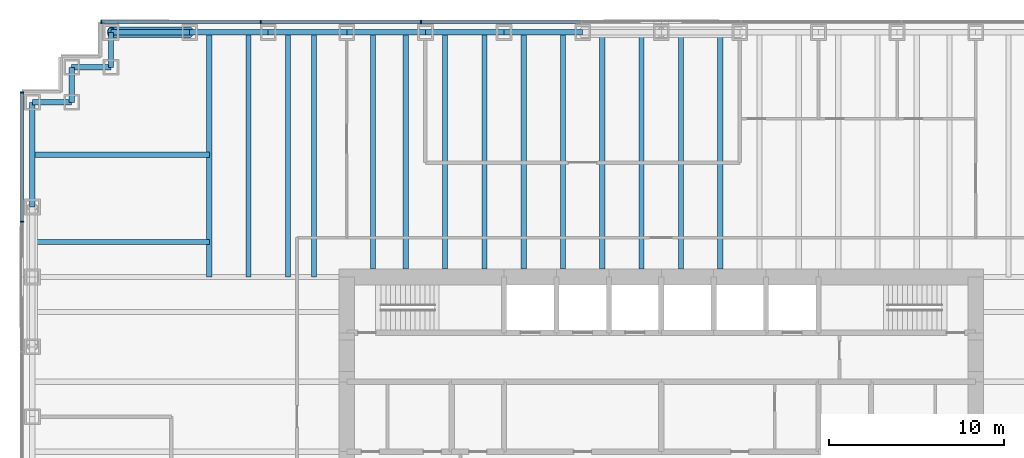
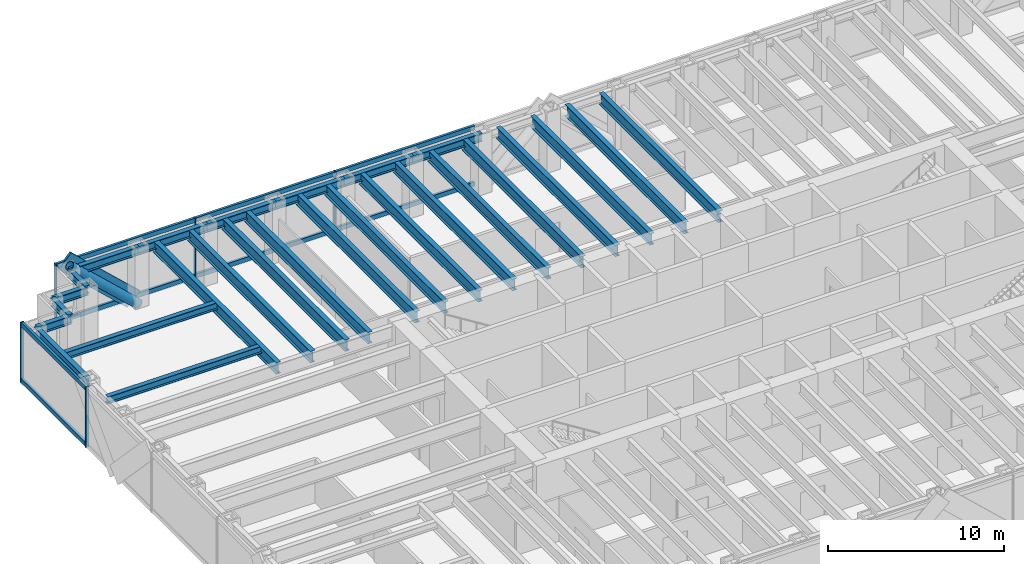
# One storey, part 6 of 15: 27 beams, 15 members, 2 elements without a shape of their own.
"""IFC4 building model written with IfcOpenShell, lengths in metres."""

from ifc_helpers import new_model, si_unit, direction, frame, origin, origin_2d, place, context, subcontext, project, spatial, rectangle, hollow_circle, i_section, extrude, material, material_profile, profile_set, type_object, element, aggregate, save


model = new_model("IFC4")

# Units and contexts
model_context = context("Model", 3, precision=1e-05, world=origin(), true_north=direction((0.0, 1.0)))
body_context = subcontext(model_context, "Body", "Model", "MODEL_VIEW")
ifc_project = project(units=[si_unit("LENGTHUNIT", "METRE"), si_unit("AREAUNIT", "SQUARE_METRE"), si_unit("VOLUMEUNIT", "CUBIC_METRE"), si_unit("PLANEANGLEUNIT", "RADIAN"), si_unit("MASSUNIT", "GRAM", prefix="KILO")], contexts=[model_context])

# Site, building, storey
site_placement = place(None, origin())
site = spatial("IfcSite", under=ifc_project, at=site_placement, CompositionType="ELEMENT")
building_placement = place(site_placement, origin())
building = spatial("IfcBuilding", under=site, at=building_placement, Name="Rheinbord Bourse Tower", CompositionType="ELEMENT")
storey_placement = place(building_placement, frame((0.0, 0.0, 150.89990234375)))
storey = spatial("IfcBuildingStorey", under=building, at=storey_placement, Name="L33", CompositionType="ELEMENT", Elevation=150.89990234375)

# Curtain wall, members
ifc_material_1 = material(Name="Dark glass and black aluminium", Category="aluminium")
curtain_wall_type = type_object("IfcCurtainWallType", Name="CW2 DARK GLASS CURTAIN WALL", PredefinedType="USERDEFINED", material=ifc_material_1)
curtain_wall_1_placement = place(storey_placement, origin())
curtain_wall_1 = element("IfcCurtainWall", 1, at=curtain_wall_1_placement, inside=storey, type_object=curtain_wall_type, Name="Curtain wall CW2 N L33", ObjectType="UNITISED CURTAIN WALL", PredefinedType="USERDEFINED")
ifc_material_2 = material(Name="Black anodised aluminium", Category="aluminium")
ifc_material_profile_1 = material_profile(ifc_material_2, rectangle(XDim=0.159912109375, YDim=1.2099609375, at=origin_2d()), Name="CW2 DIAGONAL MULLION 1210x160")
ifc_profile_set_1 = profile_set([ifc_material_profile_1], Name="Black anodised aluminium")
member_type_1 = type_object("IfcMemberType", Name="CW2 BLACK DIAGONAL MULLION", PredefinedType="USERDEFINED", material=ifc_profile_set_1)
member_1_placement = place(storey_placement, frame((9.0, 46.60009765625, 0.0), z_axis=(-0.731039441158, 0.0, 0.682335207557), x_axis=(0.0, -1.0, 0.0)))
member_1 = element("IfcMember", 2, at=member_1_placement, type_object=member_type_1, Name="CW2 diagonal mullion d", ObjectType="DIAGONAL MULLION", PredefinedType="USERDEFINED", context=body_context, shape_type="SweptSolid", body=[
    extrude(rectangle(XDim=0.159912109375, YDim=1.2099609375, at=origin_2d()), origin(), (0.0, 0.0, 1.0), 6.155517578125),
])
ifc_material_3 = material(Name="Black anodised aluminium", Category="aluminium")
ifc_material_profile_2 = material_profile(ifc_material_3, rectangle(XDim=0.219970703125, YDim=0.070068359375, at=origin_2d()), Name="CW2 MULLION 70x220")
ifc_profile_set_2 = profile_set([ifc_material_profile_2], Name="Black anodised aluminium")
member_type_2 = type_object("IfcMemberType", Name="CW2 BLACK MULLION", PredefinedType="MULLION", material=ifc_profile_set_2)
member_2_placement = place(storey_placement, frame((22.242919921875, 46.60009765625, 0.0), z_axis=(0.0, 0.0, 1.0), x_axis=(0.0, -1.0, 0.0)))
member_2 = element("IfcMember", 3, at=member_2_placement, type_object=member_type_2, Name="CW2 mullion 6", PredefinedType="MULLION", context=body_context, shape_type="SweptSolid", body=[
    extrude(rectangle(XDim=0.219970703125, YDim=0.070068359375, at=origin_2d()), origin(), (0.0, 0.0, 1.0), 4.2001953125),
])
member_3_placement = place(storey_placement, frame((13.071533203125, 46.60009765625, 0.0), z_axis=(0.0, 0.0, 1.0), x_axis=(0.0, -1.0, 0.0)))
member_3 = element("IfcMember", 4, at=member_3_placement, type_object=member_type_2, Name="CW2 mullion 7", PredefinedType="MULLION", context=body_context, shape_type="SweptSolid", body=[
    extrude(rectangle(XDim=0.219970703125, YDim=0.070068359375, at=origin_2d()), origin(), (0.0, 0.0, 1.0), 4.2001953125),
])
member_4_placement = place(storey_placement, frame((3.93505859375, 46.60009765625, 0.0), z_axis=(0.0, 0.0, 1.0), x_axis=(0.0, -1.0, 0.0)))
member_4 = element("IfcMember", 5, at=member_4_placement, type_object=member_type_2, Name="CW2 mullion 8", PredefinedType="MULLION", context=body_context, shape_type="SweptSolid", body=[
    extrude(rectangle(XDim=0.219970703125, YDim=0.070068359375, at=origin_2d()), origin(), (0.0, 0.0, 1.0), 4.2001953125),
])

curtain_wall_2_placement = place(storey_placement, origin())
curtain_wall_2 = element("IfcCurtainWall", 6, at=curtain_wall_2_placement, inside=storey, type_object=curtain_wall_type, Name="Curtain wall CW2 W L33", ObjectType="UNITISED CURTAIN WALL", PredefinedType="USERDEFINED")
member_5_placement = place(storey_placement, frame((-0.60009765625, 42.56494140625, 0.0), z_axis=(0.0, 0.0, 1.0), x_axis=(1.0, 0.0, 0.0)))
member_5 = element("IfcMember", 7, at=member_5_placement, type_object=member_type_2, Name="CW2 mullion 1", PredefinedType="MULLION", context=body_context, shape_type="SweptSolid", body=[
    extrude(rectangle(XDim=0.219970703125, YDim=0.070068359375, at=origin_2d()), origin(), (0.0, 0.0, 1.0), 4.2001953125),
])
member_6_placement = place(storey_placement, frame((-0.60009765625, 35.159912109375, 0.0), z_axis=(0.0, 0.0, 1.0), x_axis=(1.0, 0.0, 0.0)))
member_6 = element("IfcMember", 8, at=member_6_placement, type_object=member_type_2, Name="CW2 mullion 2", PredefinedType="MULLION", context=body_context, shape_type="SweptSolid", body=[
    extrude(rectangle(XDim=0.219970703125, YDim=0.070068359375, at=origin_2d()), origin(), (0.0, 0.0, 1.0), 4.2001953125),
])

# Member
ifc_material_4 = material(Name="Black anodised aluminium", Category="aluminium")
ifc_material_profile_3 = material_profile(ifc_material_4, rectangle(XDim=0.159912109375, YDim=0.300048828125, at=origin_2d()), Name="CW2 TRANSOM 300x160")
ifc_profile_set_3 = profile_set([ifc_material_profile_3], Name="Black anodised aluminium")
member_type_3 = type_object("IfcMemberType", Name="CW2 BLACK TRANSOM", PredefinedType="USERDEFINED", material=ifc_profile_set_3)
member_7_placement = place(storey_placement, frame((31.37939453125, 46.60009765625, 0.150146484375), z_axis=(-1.0, 0.0, 0.0), x_axis=(0.0, -1.0, 0.0)))
member_7 = element("IfcMember", 9, at=member_7_placement, type_object=member_type_3, Name="CW2 transom 5.1", ObjectType="TRANSOM", PredefinedType="USERDEFINED", context=body_context, shape_type="SweptSolid", body=[
    extrude(rectangle(XDim=0.159912109375, YDim=0.300048828125, at=origin_2d()), origin(), (0.0, 0.0, 1.0), 9.1015625),
])

member_8_placement = place(storey_placement, frame((31.37939453125, 46.60009765625, 4.050048828125), z_axis=(-1.0, 0.0, 0.0), x_axis=(0.0, -1.0, 0.0)))
member_8 = element("IfcMember", 10, at=member_8_placement, type_object=member_type_3, Name="CW2 transom 5.2", ObjectType="TRANSOM", PredefinedType="USERDEFINED", context=body_context, shape_type="SweptSolid", body=[
    extrude(rectangle(XDim=0.159912109375, YDim=0.300048828125, at=origin_2d()), origin(), (0.0, 0.0, 1.0), 9.1015625),
])

member_9_placement = place(storey_placement, frame((22.207763671875, 46.60009765625, 0.150146484375), z_axis=(-1.0, 0.0, 0.0), x_axis=(0.0, -1.0, 0.0)))
member_9 = element("IfcMember", 11, at=member_9_placement, type_object=member_type_3, Name="CW2 transom 6.1", ObjectType="TRANSOM", PredefinedType="USERDEFINED", context=body_context, shape_type="SweptSolid", body=[
    extrude(rectangle(XDim=0.159912109375, YDim=0.300048828125, at=origin_2d()), origin(), (0.0, 0.0, 1.0), 9.101318359375),
])

member_10_placement = place(storey_placement, frame((22.207763671875, 46.60009765625, 4.050048828125), z_axis=(-1.0, 0.0, 0.0), x_axis=(0.0, -1.0, 0.0)))
member_10 = element("IfcMember", 12, at=member_10_placement, type_object=member_type_3, Name="CW2 transom 6.2", ObjectType="TRANSOM", PredefinedType="USERDEFINED", context=body_context, shape_type="SweptSolid", body=[
    extrude(rectangle(XDim=0.159912109375, YDim=0.300048828125, at=origin_2d()), origin(), (0.0, 0.0, 1.0), 9.101318359375),
])

member_11_placement = place(storey_placement, frame((13.036376953125, 46.60009765625, 0.150146484375), z_axis=(-1.0, 0.0, 0.0), x_axis=(0.0, -1.0, 0.0)))
member_11 = element("IfcMember", 13, at=member_11_placement, type_object=member_type_3, Name="CW2 transom 7.1", ObjectType="TRANSOM", PredefinedType="USERDEFINED", context=body_context, shape_type="SweptSolid", body=[
    extrude(rectangle(XDim=0.159912109375, YDim=0.300048828125, at=origin_2d()), origin(), (0.0, 0.0, 1.0), 9.06640625),
])

member_12_placement = place(storey_placement, frame((13.036376953125, 46.60009765625, 4.050048828125), z_axis=(-1.0, 0.0, 0.0), x_axis=(0.0, -1.0, 0.0)))
member_12 = element("IfcMember", 14, at=member_12_placement, type_object=member_type_3, Name="CW2 transom 7.2", ObjectType="TRANSOM", PredefinedType="USERDEFINED", context=body_context, shape_type="SweptSolid", body=[
    extrude(rectangle(XDim=0.159912109375, YDim=0.300048828125, at=origin_2d()), origin(), (0.0, 0.0, 1.0), 9.06640625),
])

aggregate(curtain_wall_1, [member_2, member_3, member_4, member_7, member_8, member_9, member_10, member_11, member_12, member_1])

member_13_placement = place(storey_placement, frame((-0.60009765625, 42.530029296875, 0.150146484375), z_axis=(0.0, -1.0, 0.0), x_axis=(1.0, 0.0, 0.0)))
member_13 = element("IfcMember", 15, at=member_13_placement, type_object=member_type_3, Name="CW2 transom 1.1", ObjectType="TRANSOM", PredefinedType="USERDEFINED", context=body_context, shape_type="SweptSolid", body=[
    extrude(rectangle(XDim=0.159912109375, YDim=0.300048828125, at=origin_2d()), origin(), (0.0, 0.0, 1.0), 7.3349609375),
])

member_14_placement = place(storey_placement, frame((-0.60009765625, 42.530029296875, 4.050048828125), z_axis=(0.0, -1.0, 0.0), x_axis=(1.0, 0.0, 0.0)))
member_14 = element("IfcMember", 16, at=member_14_placement, type_object=member_type_3, Name="CW2 transom 1.2", ObjectType="TRANSOM", PredefinedType="USERDEFINED", context=body_context, shape_type="SweptSolid", body=[
    extrude(rectangle(XDim=0.159912109375, YDim=0.300048828125, at=origin_2d()), origin(), (0.0, 0.0, 1.0), 7.3349609375),
])

aggregate(curtain_wall_2, [member_5, member_6, member_13, member_14])

# Beams
ifc_material_5 = material(Name="Steel S460", Category="steel")
ifc_material_profile_4 = material_profile(ifc_material_5, i_section(OverallWidth=0.300048828125, OverallDepth=0.800048828125, WebThickness=0.017578125, FlangeThickness=0.032958984375, at=origin_2d()), Name="HEB 800")
ifc_profile_set_4 = profile_set([ifc_material_profile_4], Name="Steel S460")
beam_type_1 = type_object("IfcBeamType", Name="FLOOR BEAM HEB 800", PredefinedType="BEAM", material=ifc_profile_set_4)
for number, where, z_axis, x_axis, name in (
    (17, (10.125, 46.0, 3.64013671875), (0.0, -1.0, 0.0), (1.0, 0.0, 0.0), "Floor beam N-9a L34"),
    (18, (12.375, 46.0, 3.64013671875), (0.0, -1.0, 0.0), (1.0, 0.0, 0.0), "Floor beam N-9b L34"),
    (19, (14.625, 46.0, 3.64013671875), (0.0, -1.0, 0.0), (1.0, 0.0, 0.0), "Floor beam N-13.5a L34"),
    (20, (16.125, 46.0, 3.64013671875), (0.0, -1.0, 0.0), (1.0, 0.0, 0.0), "Floor beam N-13.5b L34"),
):
    element("IfcBeam", number, at=place(storey_placement, frame(where, z_axis=z_axis, x_axis=x_axis)), inside=storey, type_object=beam_type_1, Name=name, PredefinedType="BEAM", context=body_context, shape_type="SweptSolid", body=[
        extrude(i_section(OverallWidth=0.300048828125, OverallDepth=0.800048828125, WebThickness=0.017578125, FlangeThickness=0.032958984375, at=origin_2d()), origin(), (0.0, 0.0, 1.0), 14.0),
    ])
for number, where, z_axis, x_axis, name in (
    (21, (19.5, 46.0, 3.64013671875), (0.0, -1.0, 0.0), (1.0, 0.0, 0.0), "Floor beam N-18a L34"),
    (22, (21.375, 46.0, 3.64013671875), (0.0, -1.0, 0.0), (1.0, 0.0, 0.0), "Floor beam N-18b L34"),
    (23, (23.625, 46.0, 3.64013671875), (0.0, -1.0, 0.0), (1.0, 0.0, 0.0), "Floor beam N-22.5a L34"),
    (24, (25.875, 46.0, 3.64013671875), (0.0, -1.0, 0.0), (1.0, 0.0, 0.0), "Floor beam N-22.5b L34"),
    (25, (28.125, 46.0, 3.64013671875), (0.0, -1.0, 0.0), (1.0, 0.0, 0.0), "Floor beam N-27a L34"),
    (26, (30.375, 46.0, 3.64013671875), (0.0, -1.0, 0.0), (1.0, 0.0, 0.0), "Floor beam N-27b L34"),
    (27, (32.625, 46.0, 3.64013671875), (0.0, -1.0, 0.0), (1.0, 0.0, 0.0), "Floor beam N-31.5a L34"),
    (28, (34.875, 46.0, 3.64013671875), (0.0, -1.0, 0.0), (1.0, 0.0, 0.0), "Floor beam N-31.5b L34"),
    (29, (37.125, 46.0, 3.64013671875), (0.0, -1.0, 0.0), (1.0, 0.0, 0.0), "Floor beam N-36a L34"),
    (30, (39.375, 46.0, 3.64013671875), (0.0, -1.0, 0.0), (1.0, 0.0, 0.0), "Floor beam N-36b L34"),
):
    element("IfcBeam", number, at=place(storey_placement, frame(where, z_axis=z_axis, x_axis=x_axis)), inside=storey, type_object=beam_type_1, Name=name, PredefinedType="BEAM", context=body_context, shape_type="SweptSolid", body=[
        extrude(i_section(OverallWidth=0.300048828125, OverallDepth=0.800048828125, WebThickness=0.017578125, FlangeThickness=0.032958984375, at=origin_2d()), origin(), (0.0, 0.0, 1.0), 13.550048828125),
    ])

# Member
ifc_material_6 = material(Name="Steel S460", Category="steel")
ifc_material_profile_5 = material_profile(ifc_material_6, hollow_circle(Radius=0.304931640625, WallThickness=0.0400390625, at=origin_2d()), Name="CHS 610x40")
ifc_profile_set_5 = profile_set([ifc_material_profile_5], Name="Steel S460")
member_type_4 = type_object("IfcMemberType", Name="MEGABRACE CHS 610x40", PredefinedType="BRACE", material=ifc_profile_set_5)
member_15_placement = place(storey_placement, frame((9.0, 46.0, 0.0), z_axis=(-0.731039441158, 0.0, 0.682335207557), x_axis=(0.0, -1.0, 0.0)))
element("IfcMember", 31, at=member_15_placement, inside=storey, type_object=member_type_4, Name="Megabrace N face line d L33", PredefinedType="BRACE", context=body_context, shape_type="SweptSolid", body=[
    extrude(hollow_circle(Radius=0.304931640625, WallThickness=0.0400390625, at=origin_2d()), origin(), (0.0, 0.0, 1.0), 6.155517578125),
])

# Beams
ifc_material_7 = material(Name="Steel S460", Category="steel")
ifc_material_profile_6 = material_profile(ifc_material_7, i_section(OverallWidth=0.305908203125, OverallDepth=0.572021484375, WebThickness=0.02099609375, FlangeThickness=0.0400390625, at=origin_2d()), Name="HEM 550")
ifc_profile_set_6 = profile_set([ifc_material_profile_6], Name="Steel S460")
beam_type_2 = type_object("IfcBeamType", Name="SPANDREL HEM 550", PredefinedType="SPANDREL", material=ifc_profile_set_6)
for number, where, z_axis, x_axis, name in (
    (32, (31.5, 46.0, 3.754150390625), (-1.0, 0.0, 0.0), (0.0, -1.0, 0.0), "Spandrel N-31.5-N-27 under L34"),
    (33, (27.0, 46.0, 3.754150390625), (-1.0, 0.0, 0.0), (0.0, -1.0, 0.0), "Spandrel N-27-N-22.5 under L34"),
    (34, (22.5, 46.0, 3.754150390625), (-1.0, 0.0, 0.0), (0.0, -1.0, 0.0), "Spandrel N-22.5-N-18 under L34"),
    (35, (18.0, 46.0, 3.754150390625), (-1.0, 0.0, 0.0), (0.0, -1.0, 0.0), "Spandrel N-18-N-13.5 under L34"),
    (36, (13.5, 46.0, 3.754150390625), (-1.0, 0.0, 0.0), (0.0, -1.0, 0.0), "Spandrel N-13.5-N-9 under L34"),
    (37, (9.0, 46.0, 3.754150390625), (-1.0, 0.0, 0.0), (0.0, -1.0, 0.0), "Spandrel N-9-NW-E under L34"),
):
    element("IfcBeam", number, at=place(storey_placement, frame(where, z_axis=z_axis, x_axis=x_axis)), inside=storey, type_object=beam_type_2, Name=name, PredefinedType="SPANDREL", context=body_context, shape_type="SweptSolid", body=[
        extrude(i_section(OverallWidth=0.305908203125, OverallDepth=0.572021484375, WebThickness=0.02099609375, FlangeThickness=0.0400390625, at=origin_2d()), origin(), (0.0, 0.0, 1.0), 4.5),
    ])
beam_1_placement = place(storey_placement, frame((4.5, 46.0, 3.754150390625), z_axis=(0.0, -1.0, 0.0), x_axis=(1.0, 0.0, 0.0)))
element("IfcBeam", 38, at=beam_1_placement, inside=storey, type_object=beam_type_2, Name="Spandrel NW-E-NW-D under L34", PredefinedType="SPANDREL", context=body_context, shape_type="SweptSolid", body=[
    extrude(i_section(OverallWidth=0.305908203125, OverallDepth=0.572021484375, WebThickness=0.02099609375, FlangeThickness=0.0400390625, at=origin_2d()), origin(), (0.0, 0.0, 1.0), 2.0),
])
beam_2_placement = place(storey_placement, frame((4.5, 44.0, 3.754150390625), z_axis=(-1.0, 0.0, 0.0), x_axis=(0.0, -1.0, 0.0)))
element("IfcBeam", 39, at=beam_2_placement, inside=storey, type_object=beam_type_2, Name="Spandrel NW-D-NW-C under L34", PredefinedType="SPANDREL", context=body_context, shape_type="SweptSolid", body=[
    extrude(i_section(OverallWidth=0.305908203125, OverallDepth=0.572021484375, WebThickness=0.02099609375, FlangeThickness=0.0400390625, at=origin_2d()), origin(), (0.0, 0.0, 1.0), 2.25),
])
beam_3_placement = place(storey_placement, frame((2.25, 44.0, 3.754150390625), z_axis=(0.0, -1.0, 0.0), x_axis=(1.0, 0.0, 0.0)))
element("IfcBeam", 40, at=beam_3_placement, inside=storey, type_object=beam_type_2, Name="Spandrel NW-C-NW-B under L34", PredefinedType="SPANDREL", context=body_context, shape_type="SweptSolid", body=[
    extrude(i_section(OverallWidth=0.305908203125, OverallDepth=0.572021484375, WebThickness=0.02099609375, FlangeThickness=0.0400390625, at=origin_2d()), origin(), (0.0, 0.0, 1.0), 2.0),
])
beam_4_placement = place(storey_placement, frame((2.25, 42.0, 3.754150390625), z_axis=(-1.0, 0.0, 0.0), x_axis=(0.0, -1.0, 0.0)))
element("IfcBeam", 41, at=beam_4_placement, inside=storey, type_object=beam_type_2, Name="Spandrel NW-B-NW-A under L34", PredefinedType="SPANDREL", context=body_context, shape_type="SweptSolid", body=[
    extrude(i_section(OverallWidth=0.305908203125, OverallDepth=0.572021484375, WebThickness=0.02099609375, FlangeThickness=0.0400390625, at=origin_2d()), origin(), (0.0, 0.0, 1.0), 2.25),
])
beam_5_placement = place(storey_placement, frame((0.0, 42.0, 3.754150390625), z_axis=(0.0, -1.0, 0.0), x_axis=(1.0, 0.0, 0.0)))
element("IfcBeam", 42, at=beam_5_placement, inside=storey, type_object=beam_type_2, Name="Spandrel NW-A-W-36 under L34", PredefinedType="SPANDREL", context=body_context, shape_type="SweptSolid", body=[
    extrude(i_section(OverallWidth=0.305908203125, OverallDepth=0.572021484375, WebThickness=0.02099609375, FlangeThickness=0.0400390625, at=origin_2d()), origin(), (0.0, 0.0, 1.0), 6.0),
])
ifc_material_8 = material(Name="Steel S460", Category="steel")
ifc_material_profile_7 = material_profile(ifc_material_8, i_section(OverallWidth=0.300048828125, OverallDepth=0.5, WebThickness=0.014404296875, FlangeThickness=0.028076171875, at=origin_2d()), Name="HEB 500")
ifc_profile_set_7 = profile_set([ifc_material_profile_7], Name="Steel S460")
beam_type_3 = type_object("IfcBeamType", Name="TIE BEAM HEB 500", PredefinedType="JOIST", material=ifc_profile_set_7)
for number, where, z_axis, x_axis, name in (
    (43, (0.0, 34.0, 3.7900390625), (1.0, 0.0, 0.0), (0.0, 1.0, 0.0), "Tie west 34 L34"),
    (44, (0.0, 39.0, 3.7900390625), (1.0, 0.0, 0.0), (0.0, 1.0, 0.0), "Tie west 39 L34"),
):
    element("IfcBeam", number, at=place(storey_placement, frame(where, z_axis=z_axis, x_axis=x_axis)), inside=storey, type_object=beam_type_3, Name=name, PredefinedType="JOIST", context=body_context, shape_type="SweptSolid", body=[
        extrude(i_section(OverallWidth=0.300048828125, OverallDepth=0.5, WebThickness=0.014404296875, FlangeThickness=0.028076171875, at=origin_2d()), origin(), (0.0, 0.0, 1.0), 10.125),
    ])

save(model, "model.ifc")
